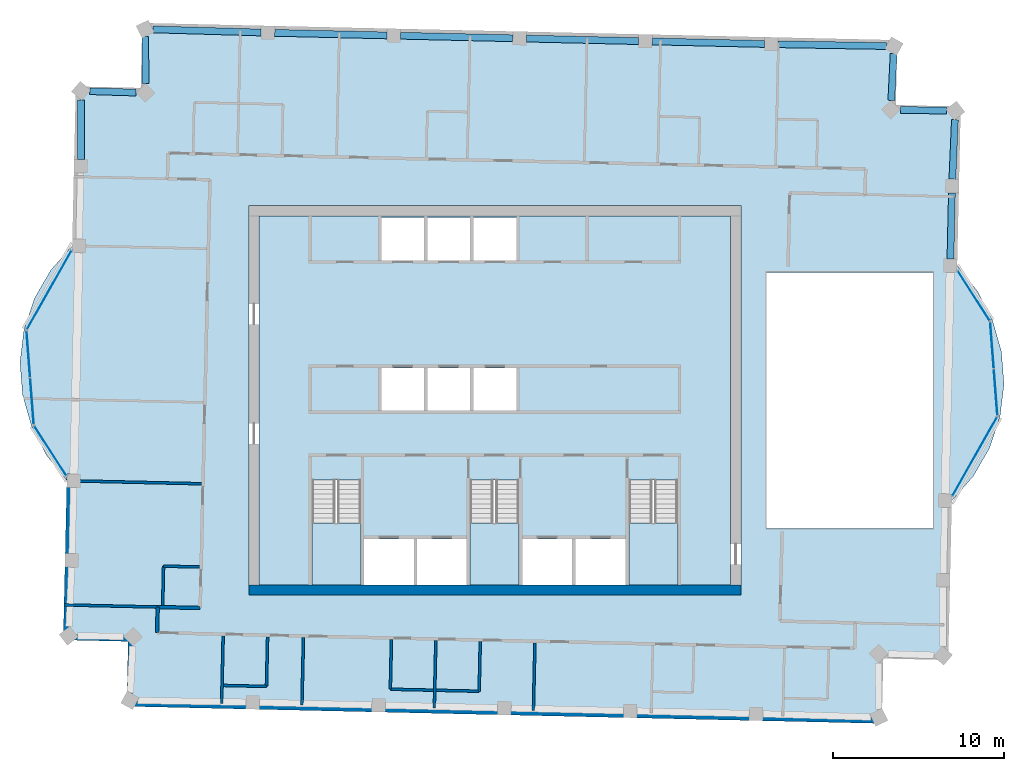
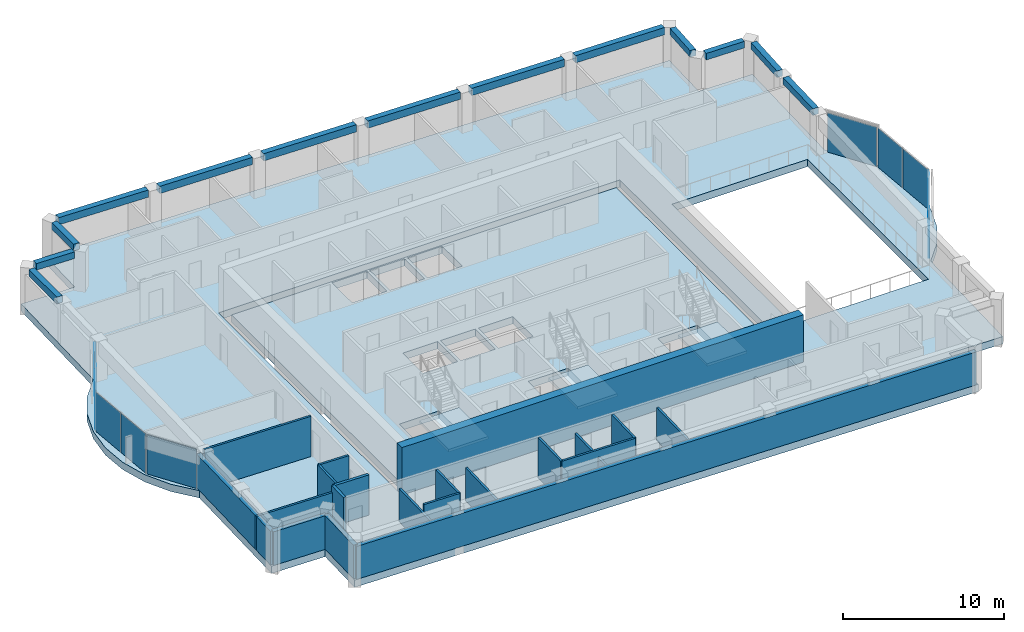
# One storey, part 6 of 12: 20 walls, 13 beams, 8 plates, 5 slabs, 9 elements without a shape of their own.
"""IFC4 building model written with IfcOpenShell, lengths in metres."""

from ifc_helpers import new_model, si_unit, direction, frame, frame_2d, origin, origin_2d, place, context, subcontext, project, spatial, polyline, rectangle, outline, extrude, material, layer, layer_set, material_profile, profile_set, type_object, element, aggregate, save


model = new_model("IFC4")

# Units and contexts
model_context = context("Model", 3, precision=1e-05, world=origin(), true_north=direction((0.0, 1.0)))
body_context = subcontext(model_context, "Body", "Model", "MODEL_VIEW")
ifc_project = project(units=[si_unit("LENGTHUNIT", "METRE"), si_unit("AREAUNIT", "SQUARE_METRE"), si_unit("VOLUMEUNIT", "CUBIC_METRE"), si_unit("PLANEANGLEUNIT", "RADIAN"), si_unit("MASSUNIT", "GRAM", prefix="KILO")], contexts=[model_context])

# Site, building, storey
site_placement = place(None, origin())
site = spatial("IfcSite", under=ifc_project, at=site_placement, CompositionType="ELEMENT")
building_placement = place(site_placement, origin())
building = spatial("IfcBuilding", under=site, at=building_placement, Name="Mangrove Gate Tower", CompositionType="ELEMENT")
storey_placement = place(building_placement, frame((0.0, 0.0, 342.5)))
storey = spatial("IfcBuildingStorey", under=building, at=storey_placement, Name="L87", CompositionType="ELEMENT", Elevation=342.5)

# Beams
ifc_material_1 = material(Name="Concrete C50/60", Category="concrete")
ifc_material_profile_1 = material_profile(ifc_material_1, rectangle(XDim=0.39990234375, YDim=0.5, at=origin_2d()))
ifc_profile_set_1 = profile_set([ifc_material_profile_1], Name="Concrete C50/60")
beam_type_1 = type_object("IfcBeamType", Name="Edge beam RC 400x500 C50/60", PredefinedType="BEAM", material=ifc_profile_set_1)
beam_1_placement = place(storey_placement, frame((26.658203125, 8.285888671875, 2.800048828125), z_axis=(0.022503151924, 0.999746772015, 0.0), x_axis=(-0.999746772015, 0.022503151924, 0.0)))
element("IfcBeam", 1, at=beam_1_placement, inside=storey, type_object=beam_type_1, Name="Edge beam L87 15", PredefinedType="BEAM", context=body_context, shape_type="SweptSolid", body=[
    extrude(rectangle(XDim=0.39990234375, YDim=0.5, at=origin_2d()), origin(), (0.0, 0.0, 1.0), 3.8623046875),
])
beam_2_placement = place(storey_placement, frame((26.771240234375, 12.94677734375, 2.800048828125), z_axis=(0.043148447171, 0.999068672068, 0.0), x_axis=(-0.999068672068, 0.043148447171, 0.0)))
element("IfcBeam", 2, at=beam_2_placement, inside=storey, type_object=beam_type_1, Name="Edge beam L87 16", PredefinedType="BEAM", context=body_context, shape_type="SweptSolid", body=[
    extrude(rectangle(XDim=0.39990234375, YDim=0.5, at=origin_2d()), origin(), (0.0, 0.0, 1.0), 3.4853515625),
])
beam_3_placement = place(storey_placement, frame((26.431640625, 16.9609375, 2.800048828125), z_axis=(-0.999892627971, 0.014653754816, 0.0), x_axis=(-0.014653754816, -0.999892627971, 0.0)))
element("IfcBeam", 3, at=beam_3_placement, inside=storey, type_object=beam_type_1, Name="Edge beam L87 17", PredefinedType="BEAM", context=body_context, shape_type="SweptSolid", body=[
    extrude(rectangle(XDim=0.39990234375, YDim=0.5, at=origin_2d()), origin(), (0.0, 0.0, 1.0), 2.698974609375),
])
for number, where, z_axis, x_axis, name in (
    (4, (23.198974609375, 17.55908203125, 2.800048828125), (0.049305011635, 0.998783768304, 0.0), (-0.998783768304, 0.049305011635, 0.0), "Edge beam L87 18"),
    (5, (-20.4638671875, 21.283447265625, 2.800048828125), (0.00401926014, -0.999991922741, 0.0), (0.999991922741, 0.00401926014, 0.0), "Edge beam L87 25"),
):
    element("IfcBeam", number, at=place(storey_placement, frame(where, z_axis=z_axis, x_axis=x_axis)), inside=storey, type_object=beam_type_1, Name=name, PredefinedType="BEAM", context=body_context, shape_type="SweptSolid", body=[
        extrude(rectangle(XDim=0.39990234375, YDim=0.5, at=origin_2d()), origin(), (0.0, 0.0, 1.0), 2.7333984375),
    ])
beam_4_placement = place(storey_placement, frame((-21.011474609375, 18.01611328125, 2.800048828125), z_axis=(-0.999532507958, 0.030573935538, 0.0), x_axis=(-0.030573935538, -0.999532507958, 0.0)))
element("IfcBeam", 6, at=beam_4_placement, inside=storey, type_object=beam_type_1, Name="Edge beam L87 26", PredefinedType="BEAM", context=body_context, shape_type="SweptSolid", body=[
    extrude(rectangle(XDim=0.39990234375, YDim=0.5, at=origin_2d()), origin(), (0.0, 0.0, 1.0), 2.698974609375),
])
beam_5_placement = place(storey_placement, frame((-24.222900390625, 17.58935546875, 2.800048828125), z_axis=(-0.002381612747, -0.999997163956, 0.0), x_axis=(0.999997163956, -0.002381612747, 0.0)))
element("IfcBeam", 7, at=beam_5_placement, inside=storey, type_object=beam_type_1, Name="Edge beam L87 27", PredefinedType="BEAM", context=body_context, shape_type="SweptSolid", body=[
    extrude(rectangle(XDim=0.39990234375, YDim=0.5, at=origin_2d()), origin(), (0.0, 0.0, 1.0), 3.4853515625),
])
ifc_material_2 = material(Name="Concrete C50/60", Category="concrete")
ifc_material_profile_2 = material_profile(ifc_material_2, rectangle(XDim=0.39990234375, YDim=0.550048828125, at=origin_2d()))
ifc_profile_set_2 = profile_set([ifc_material_profile_2], Name="Concrete C50/60")
beam_type_2 = type_object("IfcBeamType", Name="Edge beam RC 400x550 C50/60", PredefinedType="BEAM", material=ifc_profile_set_2)
beam_6_placement = place(storey_placement, frame((22.904052734375, 20.740234375, 2.77490234375), z_axis=(-0.999861867295, 0.016620659704, 0.0), x_axis=(-0.016620659704, -0.999861867295, 0.0)))
element("IfcBeam", 8, at=beam_6_placement, inside=storey, type_object=beam_type_2, Name="Edge beam L87 19", PredefinedType="BEAM", context=body_context, shape_type="SweptSolid", body=[
    extrude(rectangle(XDim=0.39990234375, YDim=0.550048828125, at=origin_2d()), origin(), (0.0, 0.0, 1.0), 6.3310546875),
])
for number, where, z_axis, x_axis, name in (
    (9, (15.77392578125, 20.861083984375, 2.77490234375), (-0.99974281348, 0.022678335362, 0.0), (-0.022678335362, -0.99974281348, 0.0), "Edge beam L87 20"),
    (10, (8.408935546875, 21.028076171875, 2.77490234375), (-0.99974281348, 0.022678335362, 0.0), (-0.022678335362, -0.99974281348, 0.0), "Edge beam L87 21"),
    (11, (1.0439453125, 21.195068359375, 2.77490234375), (-0.99974281348, 0.022678335362, 0.0), (-0.022678335362, -0.99974281348, 0.0), "Edge beam L87 22"),
):
    element("IfcBeam", number, at=place(storey_placement, frame(where, z_axis=z_axis, x_axis=x_axis)), inside=storey, type_object=beam_type_2, Name=name, PredefinedType="BEAM", context=body_context, shape_type="SweptSolid", body=[
        extrude(rectangle(XDim=0.39990234375, YDim=0.550048828125, at=origin_2d()), origin(), (0.0, 0.0, 1.0), 6.56689453125),
    ])
beam_7_placement = place(storey_placement, frame((-6.321044921875, 21.362060546875, 2.77490234375), z_axis=(-0.99974273698, 0.0226817075, 0.0), x_axis=(-0.0226817075, -0.99974273698, 0.0)))
element("IfcBeam", 12, at=beam_7_placement, inside=storey, type_object=beam_type_2, Name="Edge beam L87 23", PredefinedType="BEAM", context=body_context, shape_type="SweptSolid", body=[
    extrude(rectangle(XDim=0.39990234375, YDim=0.550048828125, at=origin_2d()), origin(), (0.0, 0.0, 1.0), 6.56591796875),
])
beam_8_placement = place(storey_placement, frame((-13.684814453125, 21.53173828125, 2.77490234375), z_axis=(-0.999584059567, 0.028839345698, 0.0), x_axis=(-0.028839345698, -0.999584059567, 0.0)))
element("IfcBeam", 13, at=beam_8_placement, inside=storey, type_object=beam_type_2, Name="Edge beam L87 24", PredefinedType="BEAM", context=body_context, shape_type="SweptSolid", body=[
    extrude(rectangle(XDim=0.39990234375, YDim=0.550048828125, at=origin_2d()), origin(), (0.0, 0.0, 1.0), 6.332275390625),
])

# Slab
ifc_material_3 = material(Name="Concrete C40/50", Category="concrete")
ifc_layer_1 = layer(ifc_material_3, 0.550048828125)
ifc_layer_set_1 = layer_set([ifc_layer_1], Name="Core floor slab 550 C40/50")
slab_type_1 = type_object("IfcSlabType", Name="Core floor slab 550 C40/50", PredefinedType="FLOOR", material=ifc_layer_set_1)
slab_1_placement = place(storey_placement, frame((0.0, 0.0, -0.550048828125)))
element("IfcSlab", 14, at=slab_1_placement, inside=storey, type_object=slab_type_1, Name="SLAB-L87-CORE-1", PredefinedType="FLOOR", context=body_context, shape_type="SweptSolid", body=[
    extrude(outline(polyline([(-13.800048828125, -10.800048828125), (-13.800048828125, 10.800048828125), (13.800048828125, 10.800048828125), (13.800048828125, -10.800048828125), (10.699951171875, -10.800048828125), (10.699951171875, -4.653076171875), (7.85009765625, -4.653076171875), (7.85009765625, -10.800048828125), (7.64990234375, -10.800048828125), (7.64990234375, -8.10009765625), (4.72509765625, -8.10009765625), (4.72509765625, -10.800048828125), (4.52490234375, -10.800048828125), (4.52490234375, -8.10009765625), (1.60009765625, -8.10009765625), (1.60009765625, -10.800048828125), (1.39990234375, -10.800048828125), (1.39990234375, -4.653076171875), (-1.449951171875, -4.653076171875), (-1.449951171875, -10.800048828125), (-1.64990234375, -10.800048828125), (-1.64990234375, -8.10009765625), (-4.550048828125, -8.10009765625), (-4.550048828125, -10.800048828125), (-4.75, -10.800048828125), (-4.75, -8.10009765625), (-7.64990234375, -8.10009765625), (-7.64990234375, -10.800048828125), (-7.85009765625, -10.800048828125), (-7.85009765625, -4.653076171875), (-10.699951171875, -4.653076171875), (-10.699951171875, -10.800048828125), (-13.800048828125, -10.800048828125)]), holes=[polyline([(-4.14990234375, 1.89990234375), (-6.64990234375, 1.89990234375), (-6.64990234375, -0.60009765625), (-4.14990234375, -0.60009765625), (-4.14990234375, 1.89990234375)]), polyline([(-1.449951171875, -0.60009765625), (-1.449951171875, 1.89990234375), (-3.949951171875, 1.89990234375), (-3.949951171875, -0.60009765625), (-1.449951171875, -0.60009765625)]), polyline([(-4.14990234375, 8.199951171875), (-4.14990234375, 10.699951171875), (-6.64990234375, 10.699951171875), (-6.64990234375, 8.199951171875), (-4.14990234375, 8.199951171875)]), polyline([(-1.449951171875, 10.699951171875), (-3.949951171875, 10.699951171875), (-3.949951171875, 8.199951171875), (-1.449951171875, 8.199951171875), (-1.449951171875, 10.699951171875)]), polyline([(1.25, -0.60009765625), (1.25, 1.89990234375), (-1.25, 1.89990234375), (-1.25, -0.60009765625), (1.25, -0.60009765625)]), polyline([(1.25, 8.199951171875), (1.25, 10.699951171875), (-1.25, 10.699951171875), (-1.25, 8.199951171875), (1.25, 8.199951171875)])]), origin(), (0.0, 0.0, 1.0), 0.550048828125),
])

# Stair, slab
ifc_material_4 = material(Name="Concrete C40/50", Category="concrete")
stair_type = type_object("IfcStairType", Name="Core stair 1350", PredefinedType="HALF_TURN_STAIR", material=ifc_material_4)
stair_1_placement = place(storey_placement, origin())
stair_1 = element("IfcStair", 15, at=stair_1_placement, inside=storey, type_object=stair_type, Name="L87 Stair 1", PredefinedType="HALF_TURN_STAIR")
ifc_material_5 = material(Name="Concrete C40/50", Category="concrete")
ifc_layer_2 = layer(ifc_material_5, 0.199951171875)
ifc_layer_set_2 = layer_set([ifc_layer_2], Name="Core stair landing 200")
slab_type_2 = type_object("IfcSlabType", Name="Core stair landing 200", PredefinedType="LANDING", material=ifc_layer_set_2)
slab_2_placement = place(storey_placement, frame((0.0, 0.0, 1.60009765625)))
slab_2 = element("IfcSlab", 16, at=slab_2_placement, type_object=slab_type_2, Name="ST1 landing 1", PredefinedType="LANDING", context=body_context, shape_type="SweptSolid", body=[
    extrude(outline(polyline([(-10.699951171875, -7.169921875), (-10.699951171875, -10.800048828125), (-7.85009765625, -10.800048828125), (-7.85009765625, -7.169921875), (-10.699951171875, -7.169921875)])), origin(), (0.0, 0.0, 1.0), 0.199951171875),
])
aggregate(stair_1, [slab_2])

stair_2_placement = place(storey_placement, origin())
stair_2 = element("IfcStair", 17, at=stair_2_placement, inside=storey, type_object=stair_type, Name="L87 Stair 2", PredefinedType="HALF_TURN_STAIR")
slab_3_placement = place(storey_placement, frame((0.0, 0.0, 1.60009765625)))
slab_3 = element("IfcSlab", 18, at=slab_3_placement, type_object=slab_type_2, Name="ST2 landing 1", PredefinedType="LANDING", context=body_context, shape_type="SweptSolid", body=[
    extrude(outline(polyline([(-1.449951171875, -7.169921875), (-1.449951171875, -10.800048828125), (1.39990234375, -10.800048828125), (1.39990234375, -7.169921875), (-1.449951171875, -7.169921875)])), origin(), (0.0, 0.0, 1.0), 0.199951171875),
])
aggregate(stair_2, [slab_3])

stair_3_placement = place(storey_placement, origin())
stair_3 = element("IfcStair", 19, at=stair_3_placement, inside=storey, type_object=stair_type, Name="L87 Stair 3", PredefinedType="HALF_TURN_STAIR")
slab_4_placement = place(storey_placement, frame((0.0, 0.0, 1.60009765625)))
slab_4 = element("IfcSlab", 20, at=slab_4_placement, type_object=slab_type_2, Name="ST3 landing 1", PredefinedType="LANDING", context=body_context, shape_type="SweptSolid", body=[
    extrude(outline(polyline([(7.85009765625, -7.169921875), (7.85009765625, -10.800048828125), (10.699951171875, -10.800048828125), (10.699951171875, -7.169921875), (7.85009765625, -7.169921875)])), origin(), (0.0, 0.0, 1.0), 0.199951171875),
])
aggregate(stair_3, [slab_4])

# Curtain wall, plate
ifc_material_6 = material(Name="Aluminium and glass curtain wall", Category="aluminium")
curtain_wall_type = type_object("IfcCurtainWallType", Name="Crown garden glazing wall", PredefinedType="NOTDEFINED", material=ifc_material_6)
curtain_wall_1_placement = place(storey_placement, origin())
curtain_wall_1 = element("IfcCurtainWall", 21, at=curtain_wall_1_placement, inside=storey, type_object=curtain_wall_type, Name="Crown garden glazing E1f1", PredefinedType="NOTDEFINED")
ifc_material_7 = material(Name="Laminated low-e glass", Category="glass")
ifc_layer_3 = layer(ifc_material_7, 0.02587890625)
ifc_layer_set_3 = layer_set([ifc_layer_3], Name="Crown garden glazing panel 26")
plate_type = type_object("IfcPlateType", Name="Crown garden glazing panel 26", PredefinedType="CURTAIN_PANEL", material=ifc_layer_set_3)
plate_1_placement = place(storey_placement, frame((28.081787109375, -3.276123046875, 0.0), z_axis=(0.0, 0.0, 1.0), x_axis=(0.49256575687, 0.870275229545, 0.0)))
plate_1 = element("IfcPlate", 22, at=plate_1_placement, type_object=plate_type, Name="CWC panel 1.1", PredefinedType="CURTAIN_PANEL", context=body_context, shape_type="SweptSolid", body=[
    extrude(rectangle(XDim=5.277587890625, YDim=0.02587890625, at=origin_2d()), origin(), (0.0, 0.0, 1.0), 2.989990234375),
])
aggregate(curtain_wall_1, [plate_1])

# Curtain wall, plates
curtain_wall_2_placement = place(storey_placement, origin())
curtain_wall_2 = element("IfcCurtainWall", 23, at=curtain_wall_2_placement, inside=storey, type_object=curtain_wall_type, Name="Crown garden glazing E1f2", PredefinedType="NOTDEFINED")
plate_2_placement = place(storey_placement, frame((29.302734375, 0.4765625, 0.0), z_axis=(0.0, 0.0, 1.0), x_axis=(-0.077023348386, 0.997029289341, 0.0)))
plate_2 = element("IfcPlate", 24, at=plate_2_placement, type_object=plate_type, Name="CWC panel 1.1", PredefinedType="CURTAIN_PANEL", context=body_context, shape_type="SweptSolid", body=[
    extrude(rectangle(XDim=2.69677734375, YDim=0.02587890625, at=origin_2d()), origin(), (0.0, 0.0, 1.0), 2.989990234375),
])
plate_3_placement = place(storey_placement, frame((29.09033203125, 3.22509765625, 0.0), z_axis=(0.0, 0.0, 1.0), x_axis=(-0.077023348386, 0.997029289341, 0.0)))
plate_3 = element("IfcPlate", 25, at=plate_3_placement, type_object=plate_type, Name="CWC panel 2.1", PredefinedType="CURTAIN_PANEL", context=body_context, shape_type="SweptSolid", body=[
    extrude(rectangle(XDim=2.69677734375, YDim=0.02587890625, at=origin_2d()), origin(), (0.0, 0.0, 1.0), 2.989990234375),
])
aggregate(curtain_wall_2, [plate_2, plate_3])

# Curtain wall, plate
curtain_wall_3_placement = place(storey_placement, origin())
curtain_wall_3 = element("IfcCurtainWall", 26, at=curtain_wall_3_placement, inside=storey, type_object=curtain_wall_type, Name="Crown garden glazing E1f3", PredefinedType="NOTDEFINED")
plate_4_placement = place(storey_placement, frame((28.017578125, 6.13037109375, 0.0), z_axis=(0.0, 0.0, 1.0), x_axis=(-0.540496129899, 0.841346500299, 0.0)))
plate_4 = element("IfcPlate", 27, at=plate_4_placement, type_object=plate_type, Name="CWC panel 1.1", PredefinedType="CURTAIN_PANEL", context=body_context, shape_type="SweptSolid", body=[
    extrude(rectangle(XDim=3.447998046875, YDim=0.02587890625, at=origin_2d()), origin(), (0.0, 0.0, 1.0), 2.989990234375),
])
aggregate(curtain_wall_3, [plate_4])

curtain_wall_4_placement = place(storey_placement, origin())
curtain_wall_4 = element("IfcCurtainWall", 28, at=curtain_wall_4_placement, inside=storey, type_object=curtain_wall_type, Name="Crown garden glazing W9f1", PredefinedType="NOTDEFINED")
plate_5_placement = place(storey_placement, frame((-26.0830078125, 6.45849609375, 0.0), z_axis=(0.0, 0.0, 1.0), x_axis=(-0.492583151863, -0.87026538395, 0.0)))
plate_5 = element("IfcPlate", 29, at=plate_5_placement, type_object=plate_type, Name="CWC panel 1.1", PredefinedType="CURTAIN_PANEL", context=body_context, shape_type="SweptSolid", body=[
    extrude(rectangle(XDim=5.278076171875, YDim=0.02587890625, at=origin_2d()), origin(), (0.0, 0.0, 1.0), 2.989990234375),
])
aggregate(curtain_wall_4, [plate_5])

# Curtain wall, plates
curtain_wall_5_placement = place(storey_placement, origin())
curtain_wall_5 = element("IfcCurtainWall", 30, at=curtain_wall_5_placement, inside=storey, type_object=curtain_wall_type, Name="Crown garden glazing W9f2", PredefinedType="NOTDEFINED")
plate_6_placement = place(storey_placement, frame((-27.303955078125, 2.705322265625, 0.0), z_axis=(0.0, 0.0, 1.0), x_axis=(0.077023348229, -0.997029289353, 0.0)))
plate_6 = element("IfcPlate", 31, at=plate_6_placement, type_object=plate_type, Name="CWC panel 1.1", PredefinedType="CURTAIN_PANEL", context=body_context, shape_type="SweptSolid", body=[
    extrude(rectangle(XDim=2.69677734375, YDim=0.02587890625, at=origin_2d()), origin(), (0.0, 0.0, 1.0), 2.989990234375),
])
plate_7_placement = place(storey_placement, frame((-27.091796875, -0.043212890625, 0.0), z_axis=(0.0, 0.0, 1.0), x_axis=(0.077023348229, -0.997029289353, 0.0)))
plate_7 = element("IfcPlate", 32, at=plate_7_placement, type_object=plate_type, Name="CWC panel 2.1", PredefinedType="CURTAIN_PANEL", context=body_context, shape_type="SweptSolid", body=[
    extrude(rectangle(XDim=2.69677734375, YDim=0.02587890625, at=origin_2d()), origin(), (0.0, 0.0, 1.0), 2.989990234375),
])
aggregate(curtain_wall_5, [plate_6, plate_7])

# Curtain wall, plate
curtain_wall_6_placement = place(storey_placement, origin())
curtain_wall_6 = element("IfcCurtainWall", 33, at=curtain_wall_6_placement, inside=storey, type_object=curtain_wall_type, Name="Crown garden glazing W9f3", PredefinedType="NOTDEFINED")
plate_8_placement = place(storey_placement, frame((-26.018798828125, -2.948486328125, 0.0), z_axis=(0.0, 0.0, 1.0), x_axis=(0.540509640617, -0.841337820617, 0.0)))
plate_8 = element("IfcPlate", 34, at=plate_8_placement, type_object=plate_type, Name="CWC panel 1.1", PredefinedType="CURTAIN_PANEL", context=body_context, shape_type="SweptSolid", body=[
    extrude(rectangle(XDim=3.448486328125, YDim=0.02587890625, at=origin_2d()), origin(), (0.0, 0.0, 1.0), 2.989990234375),
])
aggregate(curtain_wall_6, [plate_8])

# Slab
ifc_material_8 = material(Name="Concrete C40/50", Category="concrete")
ifc_layer_4 = layer(ifc_material_8, 0.550048828125)
ifc_layer_set_4 = layer_set([ifc_layer_4], Name="Floor slab 550 C40/50")
slab_type_3 = type_object("IfcSlabType", Name="Floor slab 550 C40/50", PredefinedType="FLOOR", material=ifc_layer_set_4)
slab_5_placement = place(storey_placement, frame((0.0, 0.0, -0.550048828125)))
element("IfcSlab", 35, at=slab_5_placement, inside=storey, type_object=slab_type_3, Name="Floor slab L87", PredefinedType="FLOOR", context=body_context, shape_type="SweptSolid", body=[
    extrude(outline(polyline([(-21.548828125, -17.90234375), (22.639892578125, -18.9052734375), (22.72607421875, -15.106201171875), (26.525146484375, -15.1923828125), (26.736572265625, -5.8701171875), (27.999755859375, -4.43359375), (28.952880859375, -2.775146484375), (29.558349609375, -0.9609375), (29.7919921875, 0.9375), (29.64453125, 2.8447265625), (29.1220703125, 4.684814453125), (28.2451171875, 6.384521484375), (27.048583984375, 7.876953125), (27.26025390625, 17.19921875), (23.461181640625, 17.285400390625), (23.54736328125, 21.08447265625), (-20.64111328125, 22.087158203125), (-20.7275390625, 18.288330078125), (-24.5263671875, 18.37451171875), (-24.738037109375, 9.05224609375), (-26.0009765625, 7.61572265625), (-26.9541015625, 5.957275390625), (-27.5595703125, 4.142822265625), (-27.793212890625, 2.244384765625), (-27.64599609375, 0.33740234375), (-27.12353515625, -1.502685546875), (-26.24658203125, -3.20263671875), (-25.050048828125, -4.69482421875), (-25.261474609375, -14.017333984375), (-21.46240234375, -14.103515625), (-21.548828125, -17.90234375)]), holes=[polyline([(15.89990234375, 7.5), (25.623046875, 7.5), (25.623046875, -7.5), (15.89990234375, -7.5), (15.89990234375, 7.5)]), polyline([(-14.39990234375, -11.39990234375), (-14.39990234375, 11.39990234375), (14.39990234375, 11.39990234375), (14.39990234375, -11.39990234375), (-14.39990234375, -11.39990234375)])]), origin(), (0.0, 0.0, 1.0), 0.550048828125),
])

# Walls
ifc_material_9 = material(Name="Concrete C50/60", Category="concrete")
ifc_layer_5 = layer(ifc_material_9, 0.60009765625)
ifc_layer_set_5 = layer_set([ifc_layer_5], Name="Core wall 600 C50/60")
wall_type_1 = type_object("IfcWallType", Name="Core wall 600 C50/60", PredefinedType="SHEAR", material=ifc_layer_set_5)
wall_1_placement = place(storey_placement, frame((-14.39990234375, -11.10009765625, 0.0), z_axis=(0.0, 0.0, 1.0), x_axis=(1.0, 0.0, 0.0)))
element("IfcWall", 36, at=wall_1_placement, inside=storey, type_object=wall_type_1, Name="WALL-L87-CORE-1", PredefinedType="SHEAR", context=body_context, shape_type="SweptSolid", body=[
    extrude(rectangle(XDim=28.7998046875, YDim=0.60009765625, at=frame_2d((14.39990234375, 0.0))), origin(), (0.0, 0.0, 1.0), 3.60009765625),
])
ifc_material_10 = material(Name="Gypsum board on steel stud, EI 60", Category="steel")
ifc_layer_6 = layer(ifc_material_10, 0.199951171875)
ifc_layer_set_6 = layer_set([ifc_layer_6], Name="Corridor wall EI 60")
wall_type_2 = type_object("IfcWallType", Name="Corridor wall EI 60", PredefinedType="PARTITIONING", material=ifc_layer_set_6)
wall_2_placement = place(storey_placement, frame((-19.77001953125, -13.592041015625, 0.0), z_axis=(0.0, 0.0, 1.0), x_axis=(0.022617910375, 0.999744182344, 0.0)))
element("IfcWall", 37, at=wall_2_placement, inside=storey, type_object=wall_type_2, Name="WALL-L87-016", PredefinedType="PARTITIONING", context=body_context, shape_type="SweptSolid", body=[
    extrude(rectangle(XDim=1.50048828125, YDim=0.199951171875, at=frame_2d((0.750244140625, 0.0))), origin(), (0.0, 0.0, 1.0), 3.050048828125),
])
wall_3_placement = place(storey_placement, frame((-19.73388671875, -12.092041015625, 0.0), z_axis=(0.0, 0.0, 1.0), x_axis=(0.999738275043, -0.022877530749, 0.0)))
element("IfcWall", 38, at=wall_3_placement, inside=storey, type_object=wall_type_2, Name="WALL-L87-020", PredefinedType="PARTITIONING", context=body_context, shape_type="SweptSolid", body=[
    extrude(rectangle(XDim=2.486572265625, YDim=0.199951171875, at=frame_2d((1.2431640625, 0.0))), origin(), (0.0, 0.0, 1.0), 3.050048828125),
])
ifc_material_11 = material(Name="Limestone", Category="masonry")
ifc_layer_7 = layer(ifc_material_11, 0.0400390625, Name="Limestone cladding")
ifc_material_12 = material(Name="Ventilated air gap")
ifc_layer_8 = layer(ifc_material_12, 0.0400390625, Name="Ventilated cavity")
ifc_material_13 = material(Name="Mineral wool insulation")
ifc_layer_9 = layer(ifc_material_13, 0.06005859375, Name="Insulation")
ifc_material_14 = material(Name="Breather membrane")
ifc_layer_10 = layer(ifc_material_14, 0.001953125, Name="Breather membrane")
ifc_material_15 = material(Name="Concrete C20/25 blockwork", Category="masonry")
ifc_layer_11 = layer(ifc_material_15, 0.14990234375, Name="Blockwork backing wall")
ifc_material_16 = material(Name="Gypsum plaster")
ifc_layer_12 = layer(ifc_material_16, 0.008056640625, Name="Internal plaster")
ifc_layer_set_7 = layer_set([ifc_layer_7, ifc_layer_8, ifc_layer_9, ifc_layer_10, ifc_layer_11, ifc_layer_12], Name="External wall 300 limestone cladding")
wall_type_3 = type_object("IfcWallType", Name="External wall 300 limestone cladding", PredefinedType="SOLIDWALL", material=ifc_layer_set_7)
wall_4_placement = place(storey_placement, frame((-24.89111328125, -4.299072265625, 0.0), z_axis=(0.0, 0.0, 1.0), x_axis=(-0.022643209768, -0.999743609658, 0.0)))
element("IfcWall", 39, at=wall_4_placement, inside=storey, type_object=wall_type_3, Name="WALL-L87-W10s1", PredefinedType="SOLIDWALL", context=body_context, shape_type="SweptSolid", body=[
    extrude(rectangle(XDim=9.574462890625, YDim=0.300048828125, at=frame_2d((4.787109375, 0.0))), origin(), (0.0, 0.0, 1.0), 2.550048828125),
])
wall_5_placement = place(storey_placement, frame((-25.10791015625, -13.87109375, 0.0), z_axis=(0.0, 0.0, 1.0), x_axis=(0.999744218285, -0.022616321648, 0.0)))
element("IfcWall", 40, at=wall_5_placement, inside=storey, type_object=wall_type_3, Name="WALL-L87-S11", PredefinedType="SOLIDWALL", context=body_context, shape_type="SweptSolid", body=[
    extrude(rectangle(XDim=3.7998046875, YDim=0.300048828125, at=frame_2d((1.89990234375, 0.0))), origin(), (0.0, 0.0, 1.0), 2.550048828125),
])
wall_6_placement = place(storey_placement, frame((-21.30908203125, -13.9541015625, 0.0), z_axis=(0.0, 0.0, 1.0), x_axis=(-0.022597451681, -0.999744644986, 0.0)))
element("IfcWall", 41, at=wall_6_placement, inside=storey, type_object=wall_type_3, Name="WALL-L87-W12s1", PredefinedType="SOLIDWALL", context=body_context, shape_type="SweptSolid", body=[
    extrude(rectangle(XDim=3.802978515625, YDim=0.300048828125, at=frame_2d((1.9013671875, 0.0))), origin(), (0.0, 0.0, 1.0), 2.550048828125),
])
wall_7_placement = place(storey_placement, frame((-21.39501953125, -17.756103515625, 0.0), z_axis=(0.0, 0.0, 1.0), x_axis=(0.999742664636, -0.022684895998, 0.0)))
element("IfcWall", 42, at=wall_7_placement, inside=storey, type_object=wall_type_3, Name="WALL-L87-S13", PredefinedType="SOLIDWALL", context=body_context, shape_type="SweptSolid", body=[
    extrude(rectangle(XDim=43.899169921875, YDim=0.300048828125, at=frame_2d((21.94970703125, 0.0))), origin(), (0.0, 0.0, 1.0), 2.5),
])
ifc_material_17 = material(Name="Gypsum board on steel stud, EI 60", Category="steel")
ifc_layer_13 = layer(ifc_material_17, 0.14990234375)
ifc_layer_set_8 = layer_set([ifc_layer_13], Name="Party wall 150 EI 60")
wall_type_4 = type_object("IfcWallType", Name="Party wall 150 EI 60", PredefinedType="PARTITIONING", material=ifc_layer_set_8)
wall_8_placement = place(storey_placement, frame((-15.992919921875, -17.72900390625, 0.0), z_axis=(0.0, 0.0, 1.0), x_axis=(0.022492608405, 0.999747009281, 0.0)))
element("IfcWall", 43, at=wall_8_placement, inside=storey, type_object=wall_type_4, Name="WALL-L87-001", PredefinedType="PARTITIONING", context=body_context, shape_type="SweptSolid", body=[
    extrude(rectangle(XDim=3.950927734375, YDim=0.14990234375, at=frame_2d((1.9755859375, 0.0))), origin(), (0.0, 0.0, 1.0), 2.5),
])
for number, where, z_axis, x_axis, name in (
    (44, (-11.294921875, -17.8349609375, 0.0), (0.0, 0.0, 1.0), (0.022745273308, 0.999741292806, 0.0), "WALL-L87-002"),
    (45, (-3.547119140625, -18.010986328125, 0.0), (0.0, 0.0, 1.0), (0.022807049009, 0.999739885428, 0.0), "WALL-L87-003"),
    (46, (2.251953125, -18.14306640625, 0.0), (0.0, 0.0, 1.0), (0.022807049009, 0.999739885428, 0.0), "WALL-L87-004"),
):
    element("IfcWall", number, at=place(storey_placement, frame(where, z_axis=z_axis, x_axis=x_axis)), inside=storey, type_object=wall_type_4, Name=name, PredefinedType="PARTITIONING", context=body_context, shape_type="SweptSolid", body=[
        extrude(rectangle(XDim=3.949951171875, YDim=0.14990234375, at=frame_2d((1.97509765625, 0.0))), origin(), (0.0, 0.0, 1.0), 2.5),
    ])
wall_9_placement = place(storey_placement, frame((-15.89501953125, -16.679931640625, 0.0), z_axis=(0.0, 0.0, 1.0), x_axis=(0.999735307039, -0.023006865507, 0.0)))
element("IfcWall", 47, at=wall_9_placement, inside=storey, type_object=wall_type_4, Name="WALL-L87-007", PredefinedType="PARTITIONING", context=body_context, shape_type="SweptSolid", body=[
    extrude(rectangle(XDim=2.525634765625, YDim=0.14990234375, at=frame_2d((1.2626953125, 0.0))), origin(), (0.0, 0.0, 1.0), 3.050048828125),
])
wall_10_placement = place(storey_placement, frame((-13.3701171875, -16.738037109375, 0.0), z_axis=(0.0, 0.0, 1.0), x_axis=(0.022807433839, 0.999739876649, 0.0)))
element("IfcWall", 48, at=wall_10_placement, inside=storey, type_object=wall_type_4, Name="WALL-L87-008", PredefinedType="PARTITIONING", context=body_context, shape_type="SweptSolid", body=[
    extrude(rectangle(XDim=2.90087890625, YDim=0.14990234375, at=frame_2d((1.450439453125, 0.0))), origin(), (0.0, 0.0, 1.0), 3.050048828125),
])
wall_11_placement = place(storey_placement, frame((-6.1220703125, -16.902099609375, 0.0), z_axis=(0.0, 0.0, 1.0), x_axis=(0.99974287669, -0.022675548694, 0.0)))
element("IfcWall", 49, at=wall_11_placement, inside=storey, type_object=wall_type_4, Name="WALL-L87-009", PredefinedType="PARTITIONING", context=body_context, shape_type="SweptSolid", body=[
    extrude(rectangle(XDim=5.2001953125, YDim=0.14990234375, at=frame_2d((2.60009765625, 0.0))), origin(), (0.0, 0.0, 1.0), 3.050048828125),
])
wall_12_placement = place(storey_placement, frame((-6.1220703125, -16.902099609375, 0.0), z_axis=(0.0, 0.0, 1.0), x_axis=(0.022815112345, 0.999739701447, 0.0)))
element("IfcWall", 50, at=wall_12_placement, inside=storey, type_object=wall_type_4, Name="WALL-L87-010", PredefinedType="PARTITIONING", context=body_context, shape_type="SweptSolid", body=[
    extrude(rectangle(XDim=2.89990234375, YDim=0.14990234375, at=frame_2d((1.449951171875, 0.0))), origin(), (0.0, 0.0, 1.0), 3.050048828125),
])
wall_13_placement = place(storey_placement, frame((-0.923095703125, -17.02001953125, 0.0), z_axis=(0.0, 0.0, 1.0), x_axis=(0.022480421481, 0.999747283392, 0.0)))
element("IfcWall", 51, at=wall_13_placement, inside=storey, type_object=wall_type_4, Name="WALL-L87-011", PredefinedType="PARTITIONING", context=body_context, shape_type="SweptSolid", body=[
    extrude(rectangle(XDim=2.899658203125, YDim=0.14990234375, at=frame_2d((1.44970703125, 0.0))), origin(), (0.0, 0.0, 1.0), 3.050048828125),
])
wall_14_placement = place(storey_placement, frame((-25.215087890625, -11.968017578125, 0.0), z_axis=(0.0, 0.0, 1.0), x_axis=(0.999744470661, -0.022605162732, 0.0)))
element("IfcWall", 52, at=wall_14_placement, inside=storey, type_object=wall_type_4, Name="WALL-L87-019", PredefinedType="PARTITIONING", context=body_context, shape_type="SweptSolid", body=[
    extrude(rectangle(XDim=5.486572265625, YDim=0.14990234375, at=frame_2d((2.7431640625, 0.0))), origin(), (0.0, 0.0, 1.0), 2.550048828125),
])
wall_15_placement = place(storey_placement, frame((-19.444091796875, -11.9990234375, 0.0), z_axis=(0.0, 0.0, 1.0), x_axis=(0.022603288534, 0.999744513037, 0.0)))
element("IfcWall", 53, at=wall_15_placement, inside=storey, type_object=wall_type_4, Name="WALL-L87-021", PredefinedType="PARTITIONING", context=body_context, shape_type="SweptSolid", body=[
    extrude(rectangle(XDim=2.300537109375, YDim=0.14990234375, at=frame_2d((1.150390625, 0.0))), origin(), (0.0, 0.0, 1.0), 3.050048828125),
])
wall_16_placement = place(storey_placement, frame((-19.39306640625, -9.698974609375, 0.0), z_axis=(0.0, 0.0, 1.0), x_axis=(0.999737616439, -0.022906293375, 0.0)))
element("IfcWall", 54, at=wall_16_placement, inside=storey, type_object=wall_type_4, Name="WALL-L87-026", PredefinedType="PARTITIONING", context=body_context, shape_type="SweptSolid", body=[
    extrude(rectangle(XDim=2.099609375, YDim=0.14990234375, at=frame_2d((1.0498046875, 0.0))), origin(), (0.0, 0.0, 1.0), 3.050048828125),
])
wall_17_placement = place(storey_placement, frame((-24.75, -4.7060546875, 0.0), z_axis=(0.0, 0.0, 1.0), x_axis=(0.999742135204, -0.022708216532, 0.0)))
element("IfcWall", 55, at=wall_17_placement, inside=storey, type_object=wall_type_4, Name="WALL-L87-027", PredefinedType="PARTITIONING", context=body_context, shape_type="SweptSolid", body=[
    extrude(rectangle(XDim=7.56884765625, YDim=0.14990234375, at=frame_2d((3.784423828125, 0.0))), origin(), (0.0, 0.0, 1.0), 3.050048828125),
])

save(model, "model.ifc")
